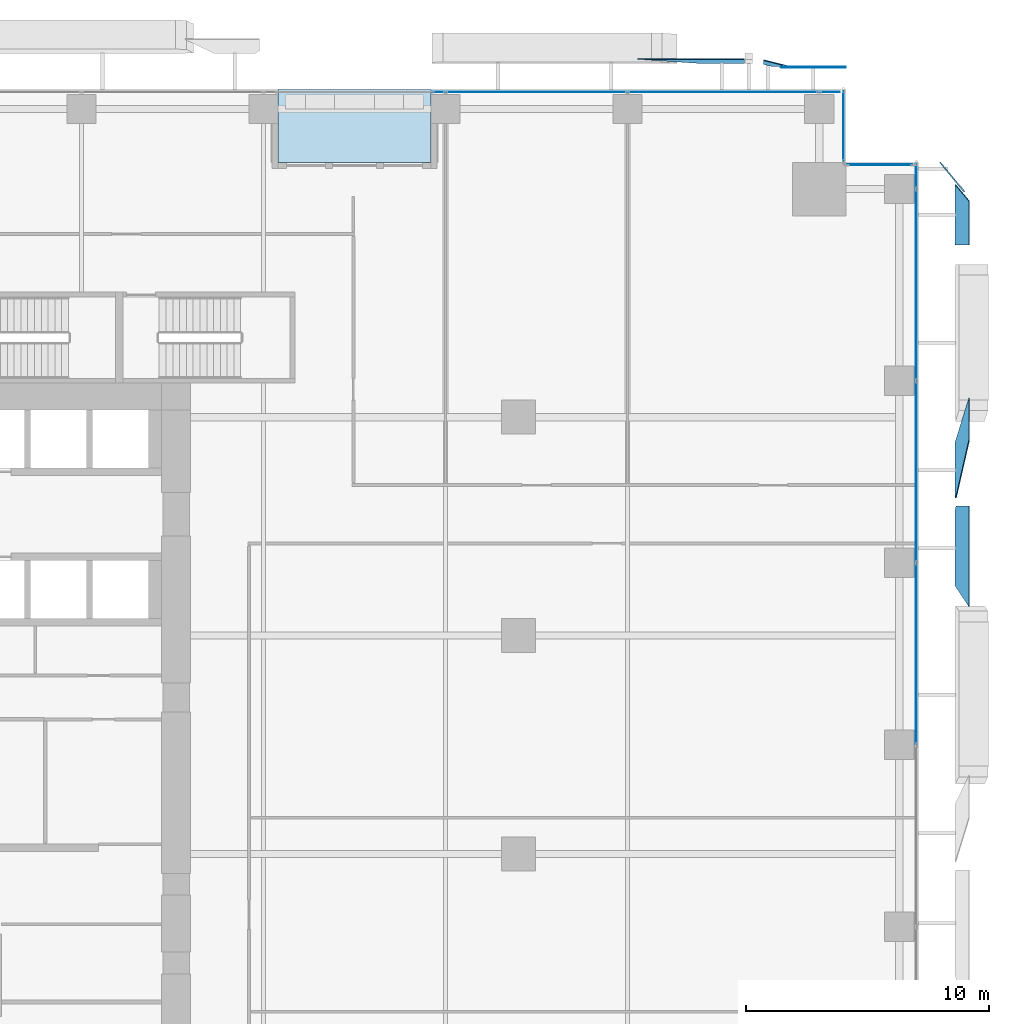
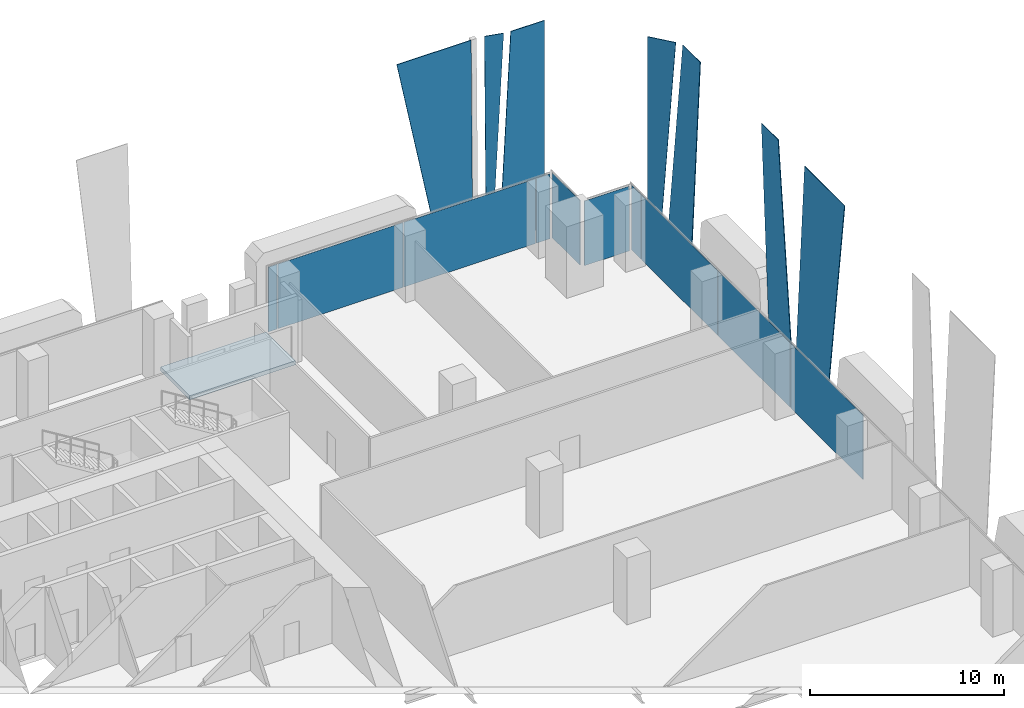
# One storey, part 27 of 36: 17 plates, 1 slab, 4 elements without a shape of their own.
"""IFC4 building model written with IfcOpenShell, lengths in metres."""

from ifc_helpers import new_model, si_unit, direction, frame, origin, origin_2d, place, context, subcontext, project, spatial, polyline, rectangle, outline, extrude, source, transform, mapped, material, layer, layer_set, type_object, element, aggregate, save


model = new_model("IFC4")

# Units and contexts
model_context = context("Model", 3, precision=1e-05, world=origin(), true_north=direction((0.0, 1.0)))
body_context = subcontext(model_context, "Body", "Model", "MODEL_VIEW")
ifc_project = project(units=[si_unit("LENGTHUNIT", "METRE"), si_unit("AREAUNIT", "SQUARE_METRE"), si_unit("VOLUMEUNIT", "CUBIC_METRE"), si_unit("PLANEANGLEUNIT", "RADIAN"), si_unit("MASSUNIT", "GRAM", prefix="KILO")], contexts=[model_context])

# Site, building, storey
site_placement = place(None, origin())
site = spatial("IfcSite", under=ifc_project, at=site_placement, CompositionType="ELEMENT")
building_placement = place(site_placement, origin())
building = spatial("IfcBuilding", under=site, at=building_placement, Name="Khomas Fold Tower", CompositionType="ELEMENT")
storey_placement = place(building_placement, frame((0.0, 0.0, 46.5)))
storey = spatial("IfcBuildingStorey", under=building, at=storey_placement, Name="L09", CompositionType="ELEMENT", Elevation=46.5)

# Plates
ifc_material_1 = material(Name="Clear laminated glass", Category="glass")
ifc_layer_1 = layer(ifc_material_1, 0.0400390625)
ifc_layer_set_1 = layer_set([ifc_layer_1], Name="Clear laminated glass")
plate_type_1 = type_object("IfcPlateType", Name="SK-Clear laminated glass leaf", PredefinedType="SHEET", material=ifc_layer_set_1)
plate_1_placement = place(storey_placement, frame((55.4912109375, 39.444091796875, 0.0), z_axis=(-0.999042279575, -9.493143e-06, 0.043755268614), x_axis=(9.484051e-06, -0.999999999955, -4.15375e-07)))
element("IfcPlate", 1, at=plate_1_placement, inside=storey, type_object=plate_type_1, Name="OUTER SKIN glass L09 EG105-5", PredefinedType="SHEET", context=body_context, shape_type="SweptSolid", body=[
    extrude(outline(polyline([(0.0, 0.0), (2.2741699217725264, 2.407871064353579e-22), (2.2741699221340834, 0.6798519933286167), (-0.10205078145954606, 13.06255811922811), (-1.8398437501312415, 13.06255811922811), (0.0, 0.0)])), origin(), (0.0, 0.0, -1.0), 0.0400390625),
])
plate_2_placement = place(storey_placement, frame((55.4912109375, 36.63232421875, 0.0), z_axis=(-0.999042361055, 8.929331e-06, 0.043753408311), x_axis=(-8.92078e-06, -0.99999999996, 3.90689e-07)))
element("IfcPlate", 2, at=plate_2_placement, inside=storey, type_object=plate_type_1, Name="OUTER SKIN glass L09 EG104-6", PredefinedType="SHEET", context=body_context, shape_type="SweptSolid", body=[
    extrude(outline(polyline([(0.0, 0.0), (3.0771484373773252, -1.6290288188466189e-22), (3.9357910154523266, 13.062558119247464), (-0.19775390625788375, 13.062558119247464), (-0.19775390683281358, 1.0307751610434377), (0.0, 0.0)])), origin(), (0.0, 0.0, -1.0), 0.0400390625),
])
plate_3_placement = place(storey_placement, frame((55.4912109375, 50.09033203125, 0.0), z_axis=(-0.99904235518, 0.0, 0.043753543365), x_axis=(0.0, -1.0, 0.0)))
element("IfcPlate", 3, at=plate_3_placement, inside=storey, type_object=plate_type_1, Name="OUTER SKIN glass L09 EG107-7", PredefinedType="SHEET", context=body_context, shape_type="SweptSolid", body=[
    extrude(outline(polyline([(0.0, 0.0), (2.490234375, 0.0), (2.490234375, 13.062558119247587), (0.68603515625, 13.062558119247587), (0.0, 0.0)])), origin(), (0.0, 0.0, -1.0), 0.0400390625),
])
plate_4_placement = place(storey_placement, frame((55.324462890625, 50.49072265625, 0.0), z_axis=(0.768140101562, 0.640281800743, 3.139211e-06), x_axis=(0.04369577443, -0.052426304264, 0.997668362693)))
element("IfcPlate", 4, at=plate_4_placement, inside=storey, type_object=plate_type_1, Name="OUTER SKIN glass L09 EG107-8", PredefinedType="SHEET", context=body_context, shape_type="SweptSolid", body=[
    extrude(outline(polyline([(0.0, 0.0), (13.080547921786561, 1.1102230246251565e-16), (12.97436981655017, -1.5521331613809566), (-0.04525103086649028, -0.6614887855036478), (0.0, 0.0)])), origin(), (0.0, 0.0, -1.0), 0.0400390625),
])
plate_5_placement = place(storey_placement, frame((42.4052734375, 55.248779296875, 13.050048828125), z_axis=(0.0, -0.999913772879, 0.013131900334), x_axis=(1.0, 0.0, 0.0)))
element("IfcPlate", 5, at=plate_5_placement, inside=storey, type_object=plate_type_1, Name="OUTER SKIN glass L09 NG106-7", PredefinedType="SHEET", context=body_context, shape_type="SweptSolid", body=[
    extrude(outline(polyline([(0.0, 0.0), (4.4248046875, 0.0), (4.4248046875, -13.05117419329811), (2.55517578125, -13.05117419329811), (0.0, 0.0)])), origin(), (0.0, 0.0, -1.0), 0.0400390625),
])
plate_6_placement = place(storey_placement, frame((48.309814453125, 54.93994140625, 0.0), z_axis=(0.0, 1.0, 0.0), x_axis=(0.052478427046, 0.0, 0.998622057985)))
element("IfcPlate", 6, at=plate_6_placement, inside=storey, type_object=plate_type_1, Name="OUTER SKIN glass L09 NG107-9", PredefinedType="SHEET", context=body_context, shape_type="SweptSolid", body=[
    extrude(outline(polyline([(0.0, 0.0), (13.068055851333002, 0.0), (13.173243323512263, 2.0016325918113553), (0.14117670596142376, 2.686478627182622), (0.0, 0.0)])), origin(), (0.0, 0.0, -1.0), 0.0400390625),
])
plate_7_placement = place(storey_placement, frame((48.594970703125, 54.949951171875, 13.050048828125), z_axis=(-0.242557402458, -0.970053332649, 0.012745129618), x_axis=(-0.052467584624, -1.210026e-06, -0.998622627704)))
element("IfcPlate", 7, at=plate_7_placement, inside=storey, type_object=plate_type_1, Name="OUTER SKIN glass L09 NG107-10", PredefinedType="SHEET", context=body_context, shape_type="SweptSolid", body=[
    extrude(outline(polyline([(0.0, 0.0), (12.317013745813073, 0.0), (12.33530556194208, -0.3588966418765839), (0.05219828474806795, -1.0241771608395063), (0.0, 0.0)])), origin(), (0.0, 0.0, -1.0), 0.0400390625),
])

# Curtain wall, plate
ifc_material_2 = material(Name="Aluminium framed double glazing", Category="aluminium")
curtain_wall_type = type_object("IfcCurtainWallType", Name="SK-Unitised clear-glass wall, growing floors CW1", PredefinedType="NOTDEFINED", material=ifc_material_2)
curtain_wall_1_placement = place(storey_placement, origin())
curtain_wall_1 = element("IfcCurtainWall", 8, at=curtain_wall_1_placement, inside=storey, type_object=curtain_wall_type, Name="CW1 run L09 06-0", PredefinedType="NOTDEFINED")
ifc_material_3 = material(Name="Clear double glazed unit")
ifc_layer_2 = layer(ifc_material_3, 0.031982421875)
ifc_layer_set_2 = layer_set([ifc_layer_2], Name="Clear double glazed unit")
plate_type_2 = type_object("IfcPlateType", Name="SK-Unitised clear-glass wall, growing floors glass panel CW1-P", PredefinedType="CURTAIN_PANEL", material=ifc_layer_set_2)
shared_shape_1 = source(origin(), body_context, "Body", "SweptSolid", [
    extrude(rectangle(XDim=0.81005859375, YDim=0.031982421875, at=origin_2d()), origin(), (0.0, 0.0, 1.0), 4.080078125),
])
plate_8_placement = place(storey_placement, frame((50.3349609375, 53.89990234375, 0.0), z_axis=(0.0, 0.0, 1.0), x_axis=(-1.0, 0.0, 0.0)))
plate_8 = element("IfcPlate", 9, at=plate_8_placement, type_object=plate_type_2, Name="CW1 glass panel 1", PredefinedType="CURTAIN_PANEL", context=body_context, shape_type="MappedRepresentation", body=[
    mapped(shared_shape_1, transform((0.0, 0.0, 0.0))),
])

curtain_wall_2_placement = place(storey_placement, origin())
curtain_wall_2 = element("IfcCurtainWall", 10, at=curtain_wall_2_placement, inside=storey, type_object=curtain_wall_type, Name="CW1 run L09 03-0", PredefinedType="NOTDEFINED")
shared_shape_2 = source(origin(), body_context, "Body", "SweptSolid", [
    extrude(rectangle(XDim=7.840087890625, YDim=0.031982421875, at=origin_2d()), origin(), (0.0, 0.0, 1.0), 4.080078125),
])
plate_9_placement = place(storey_placement, frame((53.89990234375, 45.949951171875, 0.0), z_axis=(0.0, 0.0, 1.0), x_axis=(0.0, 1.0, 0.0)))
plate_9 = element("IfcPlate", 11, at=plate_9_placement, type_object=plate_type_2, Name="CW1 glass panel 7", PredefinedType="CURTAIN_PANEL", context=body_context, shape_type="MappedRepresentation", body=[
    mapped(shared_shape_2, transform((0.0, 0.0, 0.0))),
])

# Plate
plate_10_placement = place(storey_placement, frame((45.949951171875, 53.89990234375, 0.0), z_axis=(0.0, 0.0, 1.0), x_axis=(-1.0, 0.0, 0.0)))
plate_10 = element("IfcPlate", 12, at=plate_10_placement, type_object=plate_type_2, Name="CW1 glass panel 2", PredefinedType="CURTAIN_PANEL", context=body_context, shape_type="MappedRepresentation", body=[
    mapped(shared_shape_2, transform((0.0, 0.0, 0.0))),
])

shared_shape_3 = source(origin(), body_context, "Body", "SweptSolid", [
    extrude(rectangle(XDim=7.43994140625, YDim=0.031982421875, at=origin_2d()), origin(), (0.0, 0.0, 1.0), 4.080078125),
])
plate_11_placement = place(storey_placement, frame((53.89990234375, 30.75, 0.0), z_axis=(0.0, 0.0, 1.0), x_axis=(0.0, 1.0, 0.0)))
plate_11 = element("IfcPlate", 13, at=plate_11_placement, type_object=plate_type_2, Name="CW1 glass panel 5", PredefinedType="CURTAIN_PANEL", context=body_context, shape_type="MappedRepresentation", body=[
    mapped(shared_shape_3, transform((0.0, 0.0, 0.0))),
])

plate_12_placement = place(storey_placement, frame((53.89990234375, 38.25, 0.0), z_axis=(0.0, 0.0, 1.0), x_axis=(0.0, 1.0, 0.0)))
plate_12 = element("IfcPlate", 14, at=plate_12_placement, type_object=plate_type_2, Name="CW1 glass panel 6", PredefinedType="CURTAIN_PANEL", context=body_context, shape_type="MappedRepresentation", body=[
    mapped(shared_shape_3, transform((0.0, 0.0, 0.0))),
])

plate_13_placement = place(storey_placement, frame((38.25, 53.89990234375, 0.0), z_axis=(0.0, 0.0, 1.0), x_axis=(-1.0, 0.0, 0.0)))
plate_13 = element("IfcPlate", 15, at=plate_13_placement, type_object=plate_type_2, Name="CW1 glass panel 3", PredefinedType="CURTAIN_PANEL", context=body_context, shape_type="MappedRepresentation", body=[
    mapped(shared_shape_3, transform((0.0, 0.0, 0.0))),
])

shared_shape_4 = source(origin(), body_context, "Body", "SweptSolid", [
    extrude(rectangle(XDim=1.010009765625, YDim=0.031982421875, at=origin_2d()), origin(), (0.0, 0.0, 1.0), 4.080078125),
])
plate_14_placement = place(storey_placement, frame((53.89990234375, 50.43505859375, 0.0), z_axis=(0.0, 0.0, 1.0), x_axis=(0.0, 1.0, 0.0)))
plate_14 = element("IfcPlate", 16, at=plate_14_placement, type_object=plate_type_2, Name="CW1 glass panel 8", PredefinedType="CURTAIN_PANEL", context=body_context, shape_type="MappedRepresentation", body=[
    mapped(shared_shape_4, transform((0.0, 0.0, 0.0))),
])

aggregate(curtain_wall_2, [plate_11, plate_12, plate_9, plate_14])

# Curtain wall, plate
curtain_wall_3_placement = place(storey_placement, origin())
curtain_wall_3 = element("IfcCurtainWall", 17, at=curtain_wall_3_placement, inside=storey, type_object=curtain_wall_type, Name="CW1 corner return L09 04", PredefinedType="NOTDEFINED")
shared_shape_5 = source(origin(), body_context, "Body", "SweptSolid", [
    extrude(rectangle(XDim=2.679931640625, YDim=0.031982421875, at=origin_2d()), origin(), (0.0, 0.0, 1.0), 4.080078125),
])
plate_15_placement = place(storey_placement, frame((52.39990234375, 50.89990234375, 0.0), z_axis=(0.0, 0.0, 1.0), x_axis=(-1.0, 0.0, 0.0)))
plate_15 = element("IfcPlate", 18, at=plate_15_placement, type_object=plate_type_2, Name="CW1 glass panel 1", PredefinedType="CURTAIN_PANEL", context=body_context, shape_type="MappedRepresentation", body=[
    mapped(shared_shape_5, transform((0.0, 0.0, 0.0))),
])
aggregate(curtain_wall_3, [plate_15])

curtain_wall_4_placement = place(storey_placement, origin())
curtain_wall_4 = element("IfcCurtainWall", 19, at=curtain_wall_4_placement, inside=storey, type_object=curtain_wall_type, Name="CW1 corner return L09 05", PredefinedType="NOTDEFINED")
shared_shape_6 = source(origin(), body_context, "Body", "SweptSolid", [
    extrude(rectangle(XDim=2.8798828125, YDim=0.031982421875, at=origin_2d()), origin(), (0.0, 0.0, 1.0), 4.080078125),
])
plate_16_placement = place(storey_placement, frame((50.89990234375, 52.5, 0.0), z_axis=(0.0, 0.0, 1.0), x_axis=(0.0, 1.0, 0.0)))
plate_16 = element("IfcPlate", 20, at=plate_16_placement, type_object=plate_type_2, Name="CW1 glass panel 1", PredefinedType="CURTAIN_PANEL", context=body_context, shape_type="MappedRepresentation", body=[
    mapped(shared_shape_6, transform((0.0, 0.0, 0.0))),
])
aggregate(curtain_wall_4, [plate_16])

# Plate
shared_shape_7 = source(origin(), body_context, "Body", "SweptSolid", [
    extrude(rectangle(XDim=0.510009765625, YDim=0.031982421875, at=origin_2d()), origin(), (0.0, 0.0, 1.0), 4.080078125),
])
plate_17_placement = place(storey_placement, frame((34.215087890625, 53.89990234375, 0.0), z_axis=(0.0, 0.0, 1.0), x_axis=(-1.0, 0.0, 0.0)))
plate_17 = element("IfcPlate", 21, at=plate_17_placement, type_object=plate_type_2, Name="CW1 glass panel 4", PredefinedType="CURTAIN_PANEL", context=body_context, shape_type="MappedRepresentation", body=[
    mapped(shared_shape_7, transform((0.0, 0.0, 0.0))),
])

aggregate(curtain_wall_1, [plate_8, plate_10, plate_13, plate_17])

# Slab
ifc_material_4 = material(Name="Concrete C40/50", Category="concrete")
ifc_layer_3 = layer(ifc_material_4, 0.2548828125)
ifc_layer_set_3 = layer_set([ifc_layer_3], Name="Concrete C40/50")
slab_type = type_object("IfcSlabType", Name="BL-Balcony deck 255", PredefinedType="FLOOR", material=ifc_layer_set_3)
shared_shape_8 = source(origin(), body_context, "Body", "SweptSolid", [
    extrude(outline(polyline([(27.60009765625, 51.0), (33.89990234375, 51.0), (33.89990234375, 54.0), (27.60009765625, 54.0), (27.60009765625, 51.0)])), origin(), (0.0, 0.0, 1.0), 0.255126953125),
])
slab_placement = place(storey_placement, frame((0.0, 0.0, -0.300048828125)))
element("IfcSlab", 22, at=slab_placement, inside=storey, type_object=slab_type, Name="Balcony deck BAL-L09-N3", PredefinedType="FLOOR", context=body_context, shape_type="MappedRepresentation", body=[
    mapped(shared_shape_8, transform((0.0, 0.0, 0.0))),
])

save(model, "model.ifc")
